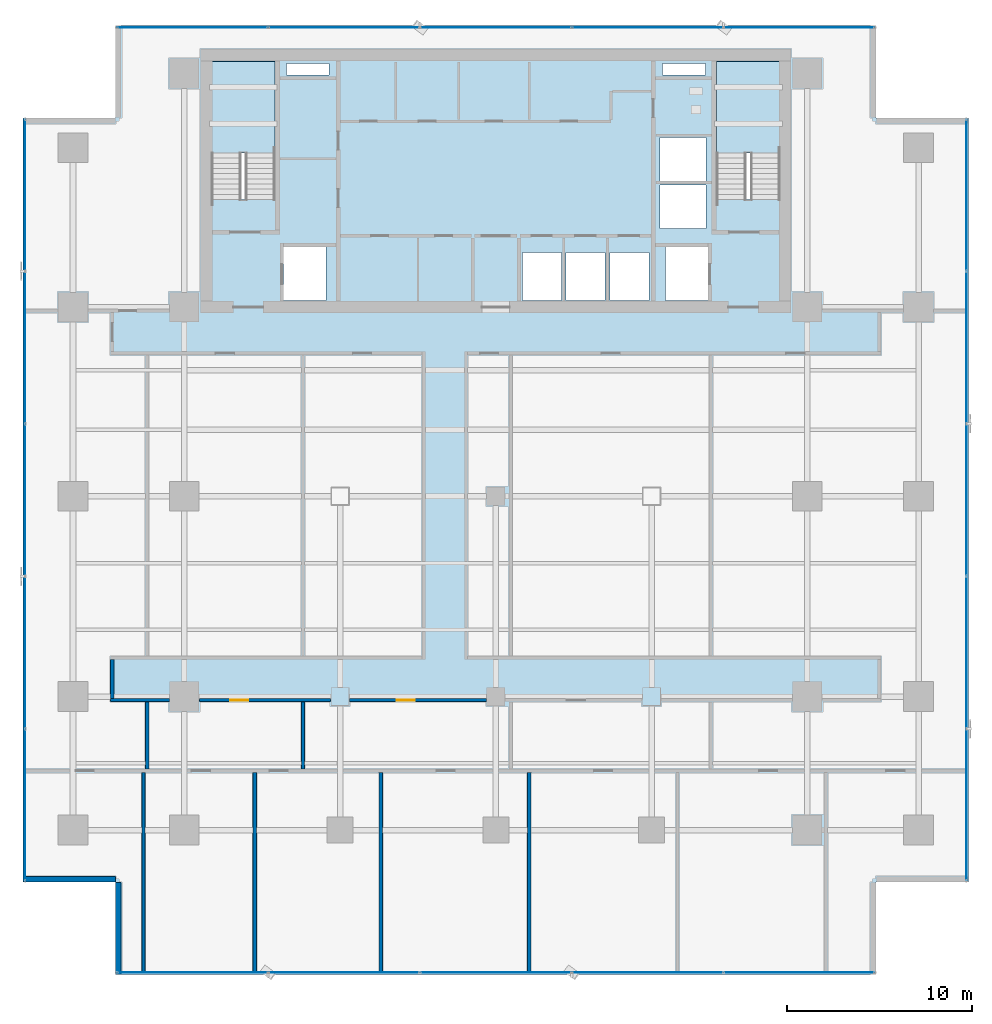
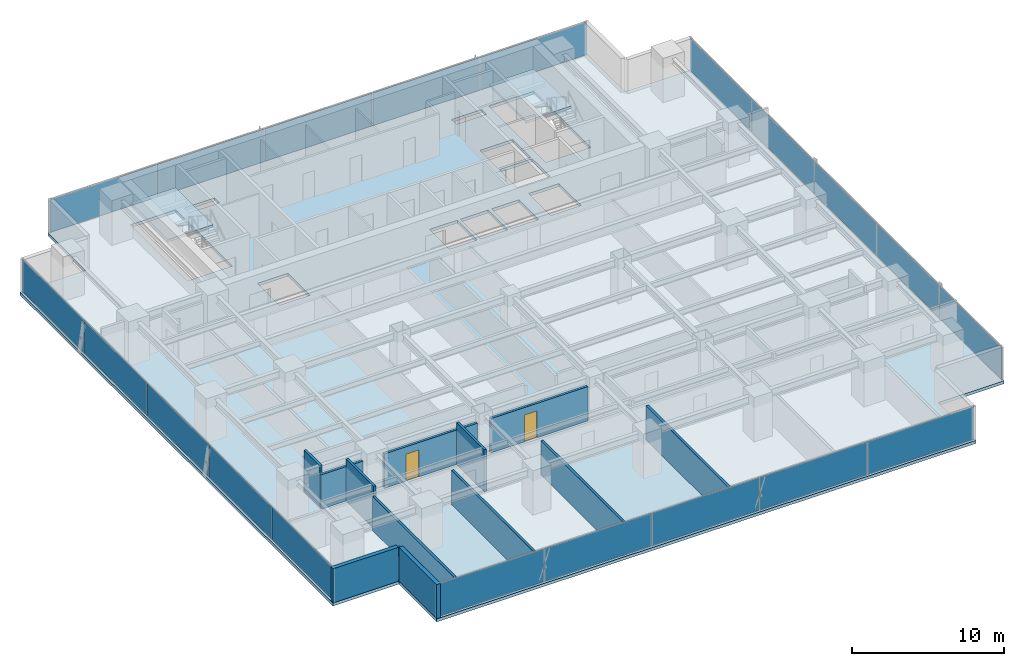
# One storey, part 27 of 36: 20 plates, 12 walls, 3 slabs, 2 doors, 2 openings, 6 elements without a shape of their own.
"""IFC4 building model written with IfcOpenShell, lengths in metres."""

import ifcopenshell
import ifcopenshell.guid

model = None  # the IFC model being written
_history = None  # IfcOwnerHistory: only IFC2X3 demands one
_inside = {}  # id of a spatial element -> (the spatial element, [elements in it])
_under = {}  # id of a project, library or spatial element -> (it, [spatial elements below it])
_declared = {}  # id of a project -> (the project, [libraries it declares])
_typed = {}  # id of a type object -> (the type object, [elements of that type])
_made_of = {}  # id of a material, layer set ... -> (it, [elements and type objects made of it])


def new_model(schema):
    """Start an empty IFC model of exactly this schema.

    Asked for "IFC4X3", IfcOpenShell would pick the latest addendum, in which some entities
    have other attributes; the version numbers below select the first issue.
    IFC2X3 requires an IfcOwnerHistory on every rooted entity: one is made here for all.
    """
    global model, _history
    if schema == "IFC4X3":
        model = ifcopenshell.file(schema_version=(4, 3, 0, 0))
    else:
        model = ifcopenshell.file(schema=schema)
    _inside.clear()
    _under.clear()
    _declared.clear()
    _typed.clear()
    _made_of.clear()
    _history = None
    if model.schema == "IFC2X3":
        org = make("IfcOrganization", Name="unknown")
        user = make(
            "IfcPersonAndOrganization",
            ThePerson=make("IfcPerson", FamilyName="unknown"),
            TheOrganization=org,
        )
        app = make(
            "IfcApplication",
            ApplicationDeveloper=org,
            Version="unknown",
            ApplicationFullName="unknown",
            ApplicationIdentifier="unknown",
        )
        _history = make(
            "IfcOwnerHistory",
            OwningUser=user,
            OwningApplication=app,
            ChangeAction="ADDED",
            CreationDate=0,
        )
    return model


def make(cls, **values):
    """One entity of the class cls with the attributes given. An attribute that is None is left unset."""
    return model.create_entity(
        cls, **{name: value for name, value in values.items() if value is not None}
    )


def rooted(cls, **values):
    """An entity with a GlobalId (a new one), such as an element, a storey or a relation."""
    return make(cls, GlobalId=ifcopenshell.guid.new(), OwnerHistory=_history, **values)


def si_unit(unit_type, name, prefix=None):
    """IfcSIUnit, for example si_unit("LENGTHUNIT", "METRE", prefix="MILLI")."""
    return make("IfcSIUnit", UnitType=unit_type, Prefix=prefix, Name=name)


def assignment(units):
    """IfcUnitAssignment: the units of a project."""
    return None if units is None else make("IfcUnitAssignment", Units=units)


def point(xyz):
    """IfcCartesianPoint."""
    return None if xyz is None else make("IfcCartesianPoint", Coordinates=xyz)


def direction(xyz):
    """IfcDirection."""
    return None if xyz is None else make("IfcDirection", DirectionRatios=xyz)


def frame(location, z_axis=None, x_axis=None):
    """IfcAxis2Placement3D, a coordinate frame: its origin and axes. An axis left out is left unset."""
    return make(
        "IfcAxis2Placement3D",
        Location=point(location),
        Axis=direction(z_axis),
        RefDirection=direction(x_axis),
    )


def frame_2d(location, x_axis=None):
    """IfcAxis2Placement2D, a coordinate frame in the plane: its origin and x axis."""
    return make(
        "IfcAxis2Placement2D", Location=point(location), RefDirection=direction(x_axis)
    )


def origin():
    """The frame at (0, 0, 0) with its axes left unset."""
    return frame((0.0, 0.0, 0.0))


def origin_2d():
    """The frame at (0, 0) in the plane with its x axis left unset."""
    return frame_2d((0.0, 0.0))


def place(relative_to, where):
    """IfcLocalPlacement: puts the frame where relative to a parent placement (None: the world)."""
    return make(
        "IfcLocalPlacement", PlacementRelTo=relative_to, RelativePlacement=where
    )


def context(
    kind, dimensions, precision=None, world=None, true_north=None, identifier=None
):
    """IfcGeometricRepresentationContext, for example the 3D "Model" context."""
    return make(
        "IfcGeometricRepresentationContext",
        ContextIdentifier=identifier,
        ContextType=kind,
        CoordinateSpaceDimension=dimensions,
        Precision=precision,
        WorldCoordinateSystem=world,
        TrueNorth=true_north,
    )


def subcontext(parent, identifier, kind, view, scale=None):
    """IfcGeometricRepresentationSubContext, for example "Body" below "Model"."""
    return make(
        "IfcGeometricRepresentationSubContext",
        ContextIdentifier=identifier,
        ContextType=kind,
        ParentContext=parent,
        TargetScale=scale,
        TargetView=view,
    )


def project(units=None, contexts=None):
    """IfcProject with its units and contexts."""
    return rooted(
        "IfcProject",
        Name="project",
        RepresentationContexts=contexts,
        UnitsInContext=assignment(units),
    )


def spatial(cls, under=None, at=None, **own):
    """A site, building, storey or space (cls), placed at a placement, below another one or the project."""
    s = rooted(cls, ObjectPlacement=at, **own)
    if under is not None:
        _under.setdefault(under.id(), (under, []))[1].append(s)
    return s


def polyline(points):
    """IfcPolyline through the points."""
    return make("IfcPolyline", Points=[point(p) for p in points])


def profile(cls, at=None, kind="AREA", **sizes):
    """A parametric profile (cls). Its sizes go by their IFC names, for example OverallWidth=200.0."""
    return make(cls, ProfileType=kind, Position=at, **sizes)


def rectangle(**sizes):
    """IfcRectangleProfileDef."""
    return profile("IfcRectangleProfileDef", **sizes)


def outline(outer, holes=None, kind="AREA"):
    """IfcArbitraryClosedProfileDef: a profile drawn as a closed curve; with holes, ...WithVoids."""
    if holes is None:
        return make("IfcArbitraryClosedProfileDef", ProfileType=kind, OuterCurve=outer)
    return make(
        "IfcArbitraryProfileDefWithVoids",
        ProfileType=kind,
        OuterCurve=outer,
        InnerCurves=holes,
    )


def extrude(swept, where, along, depth):
    """IfcExtrudedAreaSolid: the profile swept, set in the frame where, extruded along a direction by depth."""
    return make(
        "IfcExtrudedAreaSolid",
        SweptArea=swept,
        Position=where,
        ExtrudedDirection=direction(along),
        Depth=depth,
    )


def shape(context_of_items, identifier, shape_type, items):
    """IfcShapeRepresentation: the items that make up one representation, for example the "Body"."""
    return make(
        "IfcShapeRepresentation",
        ContextOfItems=context_of_items,
        RepresentationIdentifier=identifier,
        RepresentationType=shape_type,
        Items=items,
    )


def source(mapping_origin, context_of_items, identifier, shape_type, items):
    """IfcRepresentationMap: a shape defined once, which mapped items show again and again."""
    return make(
        "IfcRepresentationMap",
        MappingOrigin=mapping_origin,
        MappedRepresentation=shape(context_of_items, identifier, shape_type, items),
    )


def transform(
    local_origin,
    x_axis=None,
    y_axis=None,
    z_axis=None,
    scale=None,
    scale2=None,
    scale3=None,
    uniform=True,
):
    """IfcCartesianTransformationOperator3D, or its non-uniform kind. x_axis, y_axis, z_axis: its Axis1, 2, 3."""
    if uniform:
        return make(
            "IfcCartesianTransformationOperator3D",
            Axis1=direction(x_axis),
            Axis2=direction(y_axis),
            LocalOrigin=point(local_origin),
            Scale=scale,
            Axis3=direction(z_axis),
        )
    return make(
        "IfcCartesianTransformationOperator3DnonUniform",
        Axis1=direction(x_axis),
        Axis2=direction(y_axis),
        LocalOrigin=point(local_origin),
        Scale=scale,
        Axis3=direction(z_axis),
        Scale2=scale2,
        Scale3=scale3,
    )


def mapped(mapping_source, mapping_target):
    """IfcMappedItem: shows the shape of a source again, moved by a transform."""
    return make(
        "IfcMappedItem", MappingSource=mapping_source, MappingTarget=mapping_target
    )


def material(Name=None, Category=None):
    """IfcMaterial."""
    return make("IfcMaterial", Name=Name, Category=Category)


def layer(
    of_material, thickness, ventilated=None, Name=None, Category=None, Priority=None
):
    """IfcMaterialLayer: one layer of a wall or slab, of a material (None: an air gap)."""
    return make(
        "IfcMaterialLayer",
        Material=of_material,
        LayerThickness=thickness,
        IsVentilated=ventilated,
        Name=Name,
        Category=Category,
        Priority=Priority,
    )


def layer_set(layers, Name=None):
    """IfcMaterialLayerSet."""
    return make("IfcMaterialLayerSet", MaterialLayers=layers, LayerSetName=Name)


def made_of(thing, what):
    """Note that an element or type object is made of a material, layer set ...; save() writes the relation."""
    if what is not None:
        _made_of.setdefault(what.id(), (what, []))[1].append(thing)
    return thing


def type_object(cls, material=None, **own):
    """A type object (cls), such as IfcWallType, which elements share."""
    return made_of(rooted(cls, **own), material)


def element(
    cls,
    number,
    at=None,
    inside=None,
    cuts=None,
    type_object=None,
    material=None,
    context=None,
    identifier="Body",
    shape_type=None,
    held_by="IfcProductDefinitionShape",
    body=None,
    shapes=None,
    **own,
):
    """One element of the class cls, such as IfcWall. Its Tag is "e" and its number.

    at: its placement. inside: the storey or other place that contains it. cuts: it is an
    opening in that element (IfcRelVoidsElement). A single representation is given by context,
    identifier, shape_type and body (its items); several are given by shapes. held_by: the class
    of the entity that holds the representations. save() writes the other relations.
    """
    e = rooted(cls, Tag="e%d" % number, ObjectPlacement=at, **own)
    if body is not None:
        shapes = [shape(context, identifier, shape_type, body)]
    if shapes is not None:
        e.Representation = make(held_by, Representations=shapes)
    if inside is not None:
        _inside.setdefault(inside.id(), (inside, []))[1].append(e)
    if cuts is not None:
        rooted(
            "IfcRelVoidsElement", RelatingBuildingElement=cuts, RelatedOpeningElement=e
        )
    if type_object is not None:
        _typed.setdefault(type_object.id(), (type_object, []))[1].append(e)
    return made_of(e, material)


def fill(opening, filler):
    """IfcRelFillsElement: the door or window that sits in an opening."""
    return rooted(
        "IfcRelFillsElement",
        RelatingOpeningElement=opening,
        RelatedBuildingElement=filler,
    )


def aggregate(whole, parts):
    """IfcRelAggregates: a whole, such as a stair, and the parts it consists of."""
    return rooted("IfcRelAggregates", RelatingObject=whole, RelatedObjects=parts)


def save(model, path):
    """Write the relations noted so far, then the file.

    IfcRelAggregates (storeys below a building ...), IfcRelContainedInSpatialStructure (elements
    in a storey), IfcRelDefinesByType, IfcRelAssociatesMaterial and IfcRelDeclares: one each for
    every whole, place, type object, material and project.
    """
    for whole, parts in _under.values():
        aggregate(whole, parts)
    for where, things in _inside.values():
        rooted(
            "IfcRelContainedInSpatialStructure",
            RelatedElements=things,
            RelatingStructure=where,
        )
    for kind, things in _typed.values():
        rooted("IfcRelDefinesByType", RelatedObjects=things, RelatingType=kind)
    for what, things in _made_of.values():
        rooted("IfcRelAssociatesMaterial", RelatedObjects=things, RelatingMaterial=what)
    for by, libraries in _declared.values():
        rooted("IfcRelDeclares", RelatingContext=by, RelatedDefinitions=libraries)
    model.write(path)


model = new_model("IFC4")

# Units and contexts
model_context = context("Model", 3, precision=1e-05, world=origin(), true_north=direction((0.0, 1.0)))
body_context = subcontext(model_context, "Body", "Model", "MODEL_VIEW")
ifc_project = project(units=[si_unit("LENGTHUNIT", "METRE"), si_unit("AREAUNIT", "SQUARE_METRE"), si_unit("VOLUMEUNIT", "CUBIC_METRE"), si_unit("PLANEANGLEUNIT", "RADIAN"), si_unit("MASSUNIT", "GRAM", prefix="KILO")], contexts=[model_context])

# Site, building, storey
site_placement = place(None, origin())
site = spatial("IfcSite", under=ifc_project, at=site_placement, CompositionType="ELEMENT")
building_placement = place(site_placement, origin())
building = spatial("IfcBuilding", under=site, at=building_placement, Name="Sumidabori Civic Tower", CompositionType="ELEMENT")
storey_placement = place(building_placement, frame((0.0, 0.0, 113.60009765625)))
storey = spatial("IfcBuildingStorey", under=building, at=storey_placement, Name="L29", CompositionType="ELEMENT", Elevation=113.60009765625)

# Stair, slab
ifc_material_1 = material(Name="Concrete C40/50", Category="concrete")
stair_type = type_object("IfcStairType", Name="ST-CORE-1600", PredefinedType="HALF_TURN_STAIR", material=ifc_material_1)
stair_1_placement = place(storey_placement, origin())
stair_1 = element("IfcStair", 1, at=stair_1_placement, inside=storey, type_object=stair_type, Name="L29 ST-1", PredefinedType="HALF_TURN_STAIR")
ifc_layer_1 = layer(ifc_material_1, 0.199951171875, Name="Concrete C40/50")
ifc_layer_set_1 = layer_set([ifc_layer_1], Name="Concrete C40/50")
slab_type_1 = type_object("IfcSlabType", Name="SL-LAND-200", PredefinedType="LANDING", material=ifc_layer_set_1)
slab_1_placement = place(storey_placement, frame((0.0, 0.0, 1.599853515625)))
slab_1 = element("IfcSlab", 2, at=slab_1_placement, type_object=slab_type_1, Name="ST-1 landing 1", PredefinedType="LANDING", context=body_context, shape_type="SweptSolid", body=[
    extrude(outline(polyline([(-11.89990234375, 18.52001953125), (-11.89990234375, 23.449951171875), (-15.340087890625, 23.449951171875), (-15.340087890625, 18.52001953125), (-11.89990234375, 18.52001953125)])), origin(), (0.0, 0.0, 1.0), 0.199951171875),
])
aggregate(stair_1, [slab_1])

stair_2_placement = place(storey_placement, origin())
stair_2 = element("IfcStair", 3, at=stair_2_placement, inside=storey, type_object=stair_type, Name="L29 ST-2", PredefinedType="HALF_TURN_STAIR")
slab_2_placement = place(storey_placement, frame((0.0, 0.0, 1.599853515625)))
slab_2 = element("IfcSlab", 4, at=slab_2_placement, type_object=slab_type_1, Name="ST-2 landing 1", PredefinedType="LANDING", context=body_context, shape_type="SweptSolid", body=[
    extrude(outline(polyline([(15.340087890625, 18.52001953125), (15.340087890625, 23.449951171875), (11.89990234375, 23.449951171875), (11.89990234375, 18.52001953125), (15.340087890625, 18.52001953125)])), origin(), (0.0, 0.0, 1.0), 0.199951171875),
])
aggregate(stair_2, [slab_2])

# Slab
ifc_layer_2 = layer(ifc_material_1, 0.239990234375, Name="Concrete C40/50")
ifc_layer_set_2 = layer_set([ifc_layer_2], Name="Concrete C40/50")
slab_type_2 = type_object("IfcSlabType", Name="SL-Z1-240", PredefinedType="FLOOR", material=ifc_layer_set_2)
slab_3_placement = place(storey_placement, frame((0.0, 0.0, -0.239990234375)))
element("IfcSlab", 5, at=slab_3_placement, inside=storey, type_object=slab_type_2, Name="Structural Slab L29", PredefinedType="FLOOR", context=body_context, shape_type="SweptSolid", body=[
    extrude(outline(polyline([(-20.5, -25.800048828125), (20.5, -25.800048828125), (20.5, -20.800048828125), (25.5, -20.800048828125), (25.5, 20.39990234375), (20.5, 20.39990234375), (20.5, 25.39990234375), (-20.5, 25.39990234375), (-20.5, 20.39990234375), (-25.5, 20.39990234375), (-25.5, -20.800048828125), (-20.5, -20.800048828125), (-20.5, -25.800048828125)]), holes=[polyline([(-11.89990234375, 16.0), (-11.89990234375, 23.449951171875), (-15.340087890625, 23.449951171875), (-15.340087890625, 16.0), (-11.89990234375, 16.0)]), polyline([(15.340087890625, 16.0), (15.340087890625, 23.449951171875), (11.89990234375, 23.449951171875), (11.89990234375, 16.0), (15.340087890625, 16.0)]), polyline([(-11.449951171875, 10.550048828125), (-9.14990234375, 10.550048828125), (-9.14990234375, 13.449951171875), (-11.449951171875, 13.449951171875), (-11.449951171875, 10.550048828125)]), polyline([(9.14990234375, 10.550048828125), (11.449951171875, 10.550048828125), (11.449951171875, 13.449951171875), (9.14990234375, 13.449951171875), (9.14990234375, 10.550048828125)]), polyline([(1.449951171875, 10.550048828125), (3.550048828125, 10.550048828125), (3.550048828125, 13.14990234375), (1.449951171875, 13.14990234375), (1.449951171875, 10.550048828125)]), polyline([(3.800048828125, 10.550048828125), (5.89990234375, 10.550048828125), (5.89990234375, 13.14990234375), (3.800048828125, 13.14990234375), (3.800048828125, 10.550048828125)]), polyline([(6.14990234375, 10.550048828125), (8.25, 10.550048828125), (8.25, 13.14990234375), (6.14990234375, 13.14990234375), (6.14990234375, 10.550048828125)]), polyline([(8.85009765625, 14.449951171875), (11.35009765625, 14.449951171875), (11.35009765625, 16.800048828125), (8.85009765625, 16.800048828125), (8.85009765625, 14.449951171875)]), polyline([(8.85009765625, 17.0), (11.35009765625, 17.0), (11.35009765625, 19.35009765625), (8.85009765625, 19.35009765625), (8.85009765625, 17.0)]), polyline([(-11.300048828125, 22.719970703125), (-9.0, 22.719970703125), (-9.0, 23.35009765625), (-11.300048828125, 23.35009765625), (-11.300048828125, 22.719970703125)]), polyline([(9.0, 22.719970703125), (11.300048828125, 22.719970703125), (11.300048828125, 23.35009765625), (9.0, 23.35009765625), (9.0, 22.719970703125)])]), origin(), (0.0, 0.0, 1.0), 0.239990234375),
])

# Curtain wall, plates
ifc_material_2 = material(Name="Anodised Bronze Aluminium AW-6063-T6", Category="aluminium")
ifc_layer_3 = layer(ifc_material_2, 0.179931640625, Name="Anodised Bronze Aluminium AW-6063-T6")
ifc_layer_set_3 = layer_set([ifc_layer_3], Name="Anodised Bronze Aluminium AW-6063-T6")
curtain_wall_type = type_object("IfcCurtainWallType", Name="CW-SYS-3", PredefinedType="NOTDEFINED", material=ifc_layer_set_3)
curtain_wall_1_placement = place(storey_placement, origin())
curtain_wall_1 = element("IfcCurtainWall", 6, at=curtain_wall_1_placement, inside=storey, type_object=curtain_wall_type, Name="Curtain Wall CW:L29:R01", PredefinedType="NOTDEFINED")
ifc_material_3 = material(Name="Low-E Solar-Control Vision Glazing", Category="glass")
ifc_layer_4 = layer(ifc_material_3, 0.028076171875, Name="Low-E Solar-Control Vision Glazing")
ifc_layer_set_4 = layer_set([ifc_layer_4], Name="Low-E Solar-Control Vision Glazing")
plate_type = type_object("IfcPlateType", Name="CW-PNL-28", PredefinedType="CURTAIN_PANEL", material=ifc_layer_set_4)
shared_shape_1 = source(origin(), body_context, "Body", "SweptSolid", [
    extrude(rectangle(XDim=8.090576171875, YDim=0.028076171875, at=origin_2d()), origin(), (0.0, 0.0, 1.0), 2.6201171875),
])
plate_1_placement = place(storey_placement, frame((-16.35986328125, -25.679931640625, 0.059814453125), z_axis=(0.0, 0.0, 1.0), x_axis=(1.0, 0.0, 0.0)))
plate_1 = element("IfcPlate", 7, at=plate_1_placement, type_object=plate_type, Name="CW-3 panel 1.1", PredefinedType="CURTAIN_PANEL", context=body_context, shape_type="MappedRepresentation", body=[
    mapped(shared_shape_1, transform((0.0, 0.0, 0.0), x_axis=(1.0, 0.0, 0.0), y_axis=(0.0, 1.0, 0.0), z_axis=(0.0, 0.0, 1.0), scale=1.0)),
])
plate_2_placement = place(storey_placement, frame((16.35986328125, -25.679931640625, 0.059814453125), z_axis=(0.0, 0.0, 1.0), x_axis=(1.0, 0.0, 0.0)))
plate_2 = element("IfcPlate", 8, at=plate_2_placement, type_object=plate_type, Name="CW-3 panel 5.1", PredefinedType="CURTAIN_PANEL", context=body_context, shape_type="MappedRepresentation", body=[
    mapped(shared_shape_1, transform((0.0, 0.0, 0.0), x_axis=(1.0, 0.0, 0.0), y_axis=(0.0, 1.0, 0.0), z_axis=(0.0, 0.0, 1.0), scale=1.0)),
])

curtain_wall_2_placement = place(storey_placement, origin())
curtain_wall_2 = element("IfcCurtainWall", 9, at=curtain_wall_2_placement, inside=storey, type_object=curtain_wall_type, Name="Curtain Wall CW:L29:R07", PredefinedType="NOTDEFINED")
plate_3_placement = place(storey_placement, frame((16.35986328125, 25.280029296875, 0.059814453125), z_axis=(0.0, 0.0, 1.0), x_axis=(-1.0, 0.0, 0.0)))
plate_3 = element("IfcPlate", 10, at=plate_3_placement, type_object=plate_type, Name="CW-3 panel 1.1", PredefinedType="CURTAIN_PANEL", context=body_context, shape_type="MappedRepresentation", body=[
    mapped(shared_shape_1, transform((0.0, 0.0, 0.0), x_axis=(1.0, 0.0, 0.0), y_axis=(0.0, 1.0, 0.0), z_axis=(0.0, 0.0, 1.0), scale=1.0)),
])
plate_4_placement = place(storey_placement, frame((-16.35986328125, 25.280029296875, 0.059814453125), z_axis=(0.0, 0.0, 1.0), x_axis=(-1.0, 0.0, 0.0)))
plate_4 = element("IfcPlate", 11, at=plate_4_placement, type_object=plate_type, Name="CW-3 panel 5.1", PredefinedType="CURTAIN_PANEL", context=body_context, shape_type="MappedRepresentation", body=[
    mapped(shared_shape_1, transform((0.0, 0.0, 0.0), x_axis=(1.0, 0.0, 0.0), y_axis=(0.0, 1.0, 0.0), z_axis=(0.0, 0.0, 1.0), scale=1.0)),
])

# Plate
shared_shape_2 = source(origin(), body_context, "Body", "SweptSolid", [
    extrude(rectangle(XDim=8.123046875, YDim=0.028076171875, at=origin_2d()), origin(), (0.0, 0.0, 1.0), 2.6201171875),
])
plate_5_placement = place(storey_placement, frame((-8.18798828125, -25.679931640625, 0.059814453125), z_axis=(0.0, 0.0, 1.0), x_axis=(1.0, 0.0, 0.0)))
plate_5 = element("IfcPlate", 12, at=plate_5_placement, type_object=plate_type, Name="CW-3 panel 2.1", PredefinedType="CURTAIN_PANEL", context=body_context, shape_type="MappedRepresentation", body=[
    mapped(shared_shape_2, transform((0.0, 0.0, 0.0), x_axis=(1.0, 0.0, 0.0), y_axis=(0.0, 1.0, 0.0), z_axis=(0.0, 0.0, 1.0), scale=1.0)),
])

plate_6_placement = place(storey_placement, frame((0.0, -25.679931640625, 0.059814453125), z_axis=(0.0, 0.0, 1.0), x_axis=(1.0, 0.0, 0.0)))
plate_6 = element("IfcPlate", 13, at=plate_6_placement, type_object=plate_type, Name="CW-3 panel 3.1", PredefinedType="CURTAIN_PANEL", context=body_context, shape_type="MappedRepresentation", body=[
    mapped(shared_shape_2, transform((0.0, 0.0, 0.0), x_axis=(1.0, 0.0, 0.0), y_axis=(0.0, 1.0, 0.0), z_axis=(0.0, 0.0, 1.0), scale=1.0)),
])

plate_7_placement = place(storey_placement, frame((8.18798828125, -25.679931640625, 0.059814453125), z_axis=(0.0, 0.0, 1.0), x_axis=(1.0, 0.0, 0.0)))
plate_7 = element("IfcPlate", 14, at=plate_7_placement, type_object=plate_type, Name="CW-3 panel 4.1", PredefinedType="CURTAIN_PANEL", context=body_context, shape_type="MappedRepresentation", body=[
    mapped(shared_shape_2, transform((0.0, 0.0, 0.0), x_axis=(1.0, 0.0, 0.0), y_axis=(0.0, 1.0, 0.0), z_axis=(0.0, 0.0, 1.0), scale=1.0)),
])

aggregate(curtain_wall_1, [plate_1, plate_5, plate_6, plate_7, plate_2])

plate_8_placement = place(storey_placement, frame((8.18798828125, 25.280029296875, 0.059814453125), z_axis=(0.0, 0.0, 1.0), x_axis=(-1.0, 0.0, 0.0)))
plate_8 = element("IfcPlate", 15, at=plate_8_placement, type_object=plate_type, Name="CW-3 panel 2.1", PredefinedType="CURTAIN_PANEL", context=body_context, shape_type="MappedRepresentation", body=[
    mapped(shared_shape_2, transform((0.0, 0.0, 0.0), x_axis=(1.0, 0.0, 0.0), y_axis=(0.0, 1.0, 0.0), z_axis=(0.0, 0.0, 1.0), scale=1.0)),
])

plate_9_placement = place(storey_placement, frame((0.0, 25.280029296875, 0.059814453125), z_axis=(0.0, 0.0, 1.0), x_axis=(-1.0, 0.0, 0.0)))
plate_9 = element("IfcPlate", 16, at=plate_9_placement, type_object=plate_type, Name="CW-3 panel 3.1", PredefinedType="CURTAIN_PANEL", context=body_context, shape_type="MappedRepresentation", body=[
    mapped(shared_shape_2, transform((0.0, 0.0, 0.0), x_axis=(1.0, 0.0, 0.0), y_axis=(0.0, 1.0, 0.0), z_axis=(0.0, 0.0, 1.0), scale=1.0)),
])

plate_10_placement = place(storey_placement, frame((-8.18798828125, 25.280029296875, 0.059814453125), z_axis=(0.0, 0.0, 1.0), x_axis=(-1.0, 0.0, 0.0)))
plate_10 = element("IfcPlate", 17, at=plate_10_placement, type_object=plate_type, Name="CW-3 panel 4.1", PredefinedType="CURTAIN_PANEL", context=body_context, shape_type="MappedRepresentation", body=[
    mapped(shared_shape_2, transform((0.0, 0.0, 0.0), x_axis=(1.0, 0.0, 0.0), y_axis=(0.0, 1.0, 0.0), z_axis=(0.0, 0.0, 1.0), scale=1.0)),
])

aggregate(curtain_wall_2, [plate_3, plate_8, plate_9, plate_10, plate_4])

# Curtain wall, plates
curtain_wall_3_placement = place(storey_placement, origin())
curtain_wall_3 = element("IfcCurtainWall", 18, at=curtain_wall_3_placement, inside=storey, type_object=curtain_wall_type, Name="Curtain Wall CW:L29:R04", PredefinedType="NOTDEFINED")
shared_shape_3 = source(origin(), body_context, "Body", "SweptSolid", [
    extrude(rectangle(XDim=8.130615234375, YDim=0.028076171875, at=origin_2d()), origin(), (0.0, 0.0, 1.0), 2.6201171875),
])
plate_11_placement = place(storey_placement, frame((25.3798828125, -16.6396484375, 0.059814453125), z_axis=(0.0, 0.0, 1.0), x_axis=(0.0, 1.0, 0.0)))
plate_11 = element("IfcPlate", 19, at=plate_11_placement, type_object=plate_type, Name="CW-3 panel 1.1", PredefinedType="CURTAIN_PANEL", context=body_context, shape_type="MappedRepresentation", body=[
    mapped(shared_shape_3, transform((0.0, 0.0, 0.0), x_axis=(1.0, 0.0, 0.0), y_axis=(0.0, 1.0, 0.0), z_axis=(0.0, 0.0, 1.0), scale=1.0)),
])
plate_12_placement = place(storey_placement, frame((25.3798828125, 16.23974609375, 0.059814453125), z_axis=(0.0, 0.0, 1.0), x_axis=(0.0, 1.0, 0.0)))
plate_12 = element("IfcPlate", 20, at=plate_12_placement, type_object=plate_type, Name="CW-3 panel 5.1", PredefinedType="CURTAIN_PANEL", context=body_context, shape_type="MappedRepresentation", body=[
    mapped(shared_shape_3, transform((0.0, 0.0, 0.0), x_axis=(1.0, 0.0, 0.0), y_axis=(0.0, 1.0, 0.0), z_axis=(0.0, 0.0, 1.0), scale=1.0)),
])

curtain_wall_4_placement = place(storey_placement, origin())
curtain_wall_4 = element("IfcCurtainWall", 21, at=curtain_wall_4_placement, inside=storey, type_object=curtain_wall_type, Name="Curtain Wall CW:L29:R10", PredefinedType="NOTDEFINED")
plate_13_placement = place(storey_placement, frame((-25.3798828125, 16.23974609375, 0.059814453125), z_axis=(0.0, 0.0, 1.0), x_axis=(0.0, -1.0, 0.0)))
plate_13 = element("IfcPlate", 22, at=plate_13_placement, type_object=plate_type, Name="CW-3 panel 1.1", PredefinedType="CURTAIN_PANEL", context=body_context, shape_type="MappedRepresentation", body=[
    mapped(shared_shape_3, transform((0.0, 0.0, 0.0), x_axis=(1.0, 0.0, 0.0), y_axis=(0.0, 1.0, 0.0), z_axis=(0.0, 0.0, 1.0), scale=1.0)),
])
plate_14_placement = place(storey_placement, frame((-25.3798828125, -16.6396484375, 0.059814453125), z_axis=(0.0, 0.0, 1.0), x_axis=(0.0, -1.0, 0.0)))
plate_14 = element("IfcPlate", 23, at=plate_14_placement, type_object=plate_type, Name="CW-3 panel 5.1", PredefinedType="CURTAIN_PANEL", context=body_context, shape_type="MappedRepresentation", body=[
    mapped(shared_shape_3, transform((0.0, 0.0, 0.0), x_axis=(1.0, 0.0, 0.0), y_axis=(0.0, 1.0, 0.0), z_axis=(0.0, 0.0, 1.0), scale=1.0)),
])

# Plate
shared_shape_4 = source(origin(), body_context, "Body", "SweptSolid", [
    extrude(rectangle(XDim=8.1630859375, YDim=0.028076171875, at=origin_2d()), origin(), (0.0, 0.0, 1.0), 2.6201171875),
])
plate_15_placement = place(storey_placement, frame((25.3798828125, -8.427978515625, 0.059814453125), z_axis=(0.0, 0.0, 1.0), x_axis=(0.0, 1.0, 0.0)))
plate_15 = element("IfcPlate", 24, at=plate_15_placement, type_object=plate_type, Name="CW-3 panel 2.1", PredefinedType="CURTAIN_PANEL", context=body_context, shape_type="MappedRepresentation", body=[
    mapped(shared_shape_4, transform((0.0, 0.0, 0.0), x_axis=(1.0, 0.0, 0.0), y_axis=(0.0, 1.0, 0.0), z_axis=(0.0, 0.0, 1.0), scale=1.0)),
])

plate_16_placement = place(storey_placement, frame((25.3798828125, -0.199951171875, 0.059814453125), z_axis=(0.0, 0.0, 1.0), x_axis=(0.0, 1.0, 0.0)))
plate_16 = element("IfcPlate", 25, at=plate_16_placement, type_object=plate_type, Name="CW-3 panel 3.1", PredefinedType="CURTAIN_PANEL", context=body_context, shape_type="MappedRepresentation", body=[
    mapped(shared_shape_4, transform((0.0, 0.0, 0.0), x_axis=(1.0, 0.0, 0.0), y_axis=(0.0, 1.0, 0.0), z_axis=(0.0, 0.0, 1.0), scale=1.0)),
])

plate_17_placement = place(storey_placement, frame((25.3798828125, 8.028076171875, 0.059814453125), z_axis=(0.0, 0.0, 1.0), x_axis=(0.0, 1.0, 0.0)))
plate_17 = element("IfcPlate", 26, at=plate_17_placement, type_object=plate_type, Name="CW-3 panel 4.1", PredefinedType="CURTAIN_PANEL", context=body_context, shape_type="MappedRepresentation", body=[
    mapped(shared_shape_4, transform((0.0, 0.0, 0.0), x_axis=(1.0, 0.0, 0.0), y_axis=(0.0, 1.0, 0.0), z_axis=(0.0, 0.0, 1.0), scale=1.0)),
])

aggregate(curtain_wall_3, [plate_11, plate_15, plate_16, plate_17, plate_12])

plate_18_placement = place(storey_placement, frame((-25.3798828125, 8.028076171875, 0.059814453125), z_axis=(0.0, 0.0, 1.0), x_axis=(0.0, -1.0, 0.0)))
plate_18 = element("IfcPlate", 27, at=plate_18_placement, type_object=plate_type, Name="CW-3 panel 2.1", PredefinedType="CURTAIN_PANEL", context=body_context, shape_type="MappedRepresentation", body=[
    mapped(shared_shape_4, transform((0.0, 0.0, 0.0), x_axis=(1.0, 0.0, 0.0), y_axis=(0.0, 1.0, 0.0), z_axis=(0.0, 0.0, 1.0), scale=1.0)),
])

plate_19_placement = place(storey_placement, frame((-25.3798828125, -0.199951171875, 0.059814453125), z_axis=(0.0, 0.0, 1.0), x_axis=(0.0, -1.0, 0.0)))
plate_19 = element("IfcPlate", 28, at=plate_19_placement, type_object=plate_type, Name="CW-3 panel 3.1", PredefinedType="CURTAIN_PANEL", context=body_context, shape_type="MappedRepresentation", body=[
    mapped(shared_shape_4, transform((0.0, 0.0, 0.0), x_axis=(1.0, 0.0, 0.0), y_axis=(0.0, 1.0, 0.0), z_axis=(0.0, 0.0, 1.0), scale=1.0)),
])

plate_20_placement = place(storey_placement, frame((-25.3798828125, -8.427978515625, 0.059814453125), z_axis=(0.0, 0.0, 1.0), x_axis=(0.0, -1.0, 0.0)))
plate_20 = element("IfcPlate", 29, at=plate_20_placement, type_object=plate_type, Name="CW-3 panel 4.1", PredefinedType="CURTAIN_PANEL", context=body_context, shape_type="MappedRepresentation", body=[
    mapped(shared_shape_4, transform((0.0, 0.0, 0.0), x_axis=(1.0, 0.0, 0.0), y_axis=(0.0, 1.0, 0.0), z_axis=(0.0, 0.0, 1.0), scale=1.0)),
])

aggregate(curtain_wall_4, [plate_13, plate_18, plate_19, plate_20, plate_14])

# Walls
ifc_material_4 = material(Name="Precast concrete C40/50", Category="concrete")
ifc_layer_5 = layer(ifc_material_4, 0.300048828125, Name="Precast concrete C40/50")
ifc_layer_set_5 = layer_set([ifc_layer_5], Name="Precast concrete C40/50")
wall_type_1 = type_object("IfcWallType", Name="WL-EXT-POD300", PredefinedType="STANDARD", material=ifc_layer_set_5)
shared_shape_5 = source(origin(), body_context, "Body", "SweptSolid", [
    extrude(rectangle(XDim=4.9599609375, YDim=0.300048828125, at=frame_2d((2.47998046875, 0.0))), origin(), (0.0, 0.0, 1.0), 2.739990234375),
])
for number, where, z_axis, x_axis, name in (
    (30, (-25.47998046875, -20.64990234375, 0.0), (0.0, 0.0, 1.0), (1.0, 0.0, 0.0), "Notched Corner Spandrel Band L29-11"),
    (31, (-20.35009765625, -20.820068359375, 0.0), (0.0, 0.0, 1.0), (0.0, -1.0, 0.0), "Notched Corner Spandrel Band L29-12"),
):
    element("IfcWall", number, at=place(storey_placement, frame(where, z_axis=z_axis, x_axis=x_axis)), inside=storey, type_object=wall_type_1, Name=name, PredefinedType="STANDARD", context=body_context, shape_type="MappedRepresentation", body=[
        mapped(shared_shape_5, transform((0.0, 0.0, 0.0), x_axis=(1.0, 0.0, 0.0), y_axis=(0.0, 1.0, 0.0), z_axis=(0.0, 0.0, 1.0), scale=1.0)),
    ])
ifc_material_5 = material(Name="Gypsum Plasterboard Acoustic Partition")
ifc_layer_6 = layer(ifc_material_5, 0.179931640625, Name="Gypsum Plasterboard Acoustic Partition")
ifc_layer_set_6 = layer_set([ifc_layer_6], Name="Gypsum Plasterboard Acoustic Partition")
wall_type_2 = type_object("IfcWallType", Name="WL-PART-180", PredefinedType="PARTITIONING", material=ifc_layer_set_6)
shared_shape_6 = source(origin(), body_context, "Body", "SweptSolid", [
    extrude(rectangle(XDim=3.169921875, YDim=0.179931640625, at=frame_2d((1.5849609375, 0.0))), origin(), (0.0, 0.0, 1.0), 2.744873046875),
])
wall_1_placement = place(storey_placement, frame((-20.780029296875, -10.989990234375, 0.0), z_axis=(0.0, 0.0, 1.0), x_axis=(1.0, 0.0, 0.0)))
element("IfcWall", 32, at=wall_1_placement, inside=storey, type_object=wall_type_2, Name="Interior Partition WL:L29:CORR-SS-1", PredefinedType="PARTITIONING", context=body_context, shape_type="MappedRepresentation", body=[
    mapped(shared_shape_6, transform((0.0, 0.0, 0.0), x_axis=(1.0, 0.0, 0.0), y_axis=(0.0, 1.0, 0.0), z_axis=(0.0, 0.0, 1.0), scale=1.0)),
])

# Wall, opening, door
shared_shape_7 = source(origin(), body_context, "Body", "SweptSolid", [
    extrude(rectangle(XDim=7.080078125, YDim=0.179931640625, at=frame_2d((3.5400390625, 0.0))), origin(), (0.0, 0.0, 1.0), 2.744873046875),
])
wall_2_placement = place(storey_placement, frame((-15.989990234375, -10.989990234375, 0.0), z_axis=(0.0, 0.0, 1.0), x_axis=(1.0, 0.0, 0.0)))
wall_2 = element("IfcWall", 33, at=wall_2_placement, inside=storey, type_object=wall_type_2, Name="Interior Partition WL:L29:CORR-SS-2", PredefinedType="PARTITIONING", context=body_context, shape_type="MappedRepresentation", body=[
    mapped(shared_shape_7, transform((0.0, 0.0, 0.0), x_axis=(1.0, 0.0, 0.0), y_axis=(0.0, 1.0, 0.0), z_axis=(0.0, 0.0, 1.0), scale=1.0)),
])
opening_1_placement = place(wall_2_placement, frame((1.659912109375, 0.0, 0.0)))
opening_1 = element("IfcOpeningElement", 34, at=opening_1_placement, cuts=wall_2, Name="Opening DR-3", PredefinedType="OPENING", context=body_context, shape_type="SweptSolid", body=[
    extrude(rectangle(XDim=0.97998046875, YDim=2.14990234375, at=frame_2d((0.489990234375, 1.074951171875))), frame((0.0, 0.10205078125, 0.0), z_axis=(0.0, -1.0, 0.0), x_axis=(1.0, 0.0, 0.0)), (0.0, 0.0, 1.0), 0.203857421875),
])
ifc_material_6 = material(Name="Japanese Hinoki Timber", Category="wood")
door_type = type_object("IfcDoorType", Name="DR-INT-980", OperationType="NOTDEFINED", PredefinedType="DOOR", material=ifc_material_6)
shared_shape_8 = source(origin(), body_context, "Body", "SweptSolid", [
    extrude(rectangle(XDim=0.97998046875, YDim=2.14990234375, at=frame_2d((0.489990234375, 1.074951171875))), frame((0.0, 0.02490234375, 0.0), z_axis=(0.0, -1.0, 0.0), x_axis=(1.0, 0.0, 0.0)), (0.0, 0.0, 1.0), 0.050048828125),
])
door_1_placement = place(opening_1_placement, origin())
door_1 = element("IfcDoor", 35, at=door_1_placement, inside=storey, type_object=door_type, Name="Door DR:L29:D08", OperationType="SINGLE_SWING_RIGHT", OverallHeight=2.14990234375, OverallWidth=0.97998046875, PredefinedType="DOOR", context=body_context, shape_type="MappedRepresentation", body=[
    mapped(shared_shape_8, transform((0.0, 0.0, 0.0), x_axis=(1.0, 0.0, 0.0), y_axis=(0.0, 1.0, 0.0), z_axis=(0.0, 0.0, 1.0), scale=1.0)),
])
fill(opening_1, door_1)

shared_shape_9 = source(origin(), body_context, "Body", "SweptSolid", [
    extrude(rectangle(XDim=7.3798828125, YDim=0.179931640625, at=frame_2d((3.68994140625, 0.0))), origin(), (0.0, 0.0, 1.0), 2.744873046875),
])
wall_3_placement = place(storey_placement, frame((-7.889892578125, -10.989990234375, 0.0), z_axis=(0.0, 0.0, 1.0), x_axis=(1.0, 0.0, 0.0)))
wall_3 = element("IfcWall", 36, at=wall_3_placement, inside=storey, type_object=wall_type_2, Name="Interior Partition WL:L29:CORR-SS-3", PredefinedType="PARTITIONING", context=body_context, shape_type="MappedRepresentation", body=[
    mapped(shared_shape_9, transform((0.0, 0.0, 0.0), x_axis=(1.0, 0.0, 0.0), y_axis=(0.0, 1.0, 0.0), z_axis=(0.0, 0.0, 1.0), scale=1.0)),
])
opening_2_placement = place(wall_3_placement, frame((2.5400390625, 0.0, 0.0)))
opening_2 = element("IfcOpeningElement", 37, at=opening_2_placement, cuts=wall_3, Name="Opening DR-3", PredefinedType="OPENING", context=body_context, shape_type="SweptSolid", body=[
    extrude(rectangle(XDim=0.97998046875, YDim=2.14990234375, at=frame_2d((0.489990234375, 1.074951171875))), frame((0.0, 0.10205078125, 0.0), z_axis=(0.0, -1.0, 0.0), x_axis=(1.0, 0.0, 0.0)), (0.0, 0.0, 1.0), 0.203857421875),
])
door_2_placement = place(opening_2_placement, origin())
door_2 = element("IfcDoor", 38, at=door_2_placement, inside=storey, type_object=door_type, Name="Door DR:L29:D09", OperationType="SINGLE_SWING_LEFT", OverallHeight=2.14990234375, OverallWidth=0.97998046875, PredefinedType="DOOR", context=body_context, shape_type="MappedRepresentation", body=[
    mapped(shared_shape_8, transform((0.0, 0.0, 0.0), x_axis=(1.0, 0.0, 0.0), y_axis=(0.0, 1.0, 0.0), z_axis=(0.0, 0.0, 1.0), scale=1.0)),
])
fill(opening_2, door_2)

# Walls
shared_shape_10 = source(origin(), body_context, "Body", "SweptSolid", [
    extrude(rectangle(XDim=2.090087890625, YDim=0.179931640625, at=frame_2d((1.044921875, 0.0))), origin(), (0.0, 0.0, 1.0), 3.35986328125),
])
wall_4_placement = place(storey_placement, frame((-20.68994140625, -10.89501953125, 0.0), z_axis=(0.0, 0.0, 1.0), x_axis=(0.0, 1.0, 0.0)))
element("IfcWall", 39, at=wall_4_placement, inside=storey, type_object=wall_type_2, Name="Interior Partition WL:L29:CORR-VSW", PredefinedType="PARTITIONING", context=body_context, shape_type="MappedRepresentation", body=[
    mapped(shared_shape_10, transform((0.0, 0.0, 0.0), x_axis=(1.0, 0.0, 0.0), y_axis=(0.0, 1.0, 0.0), z_axis=(0.0, 0.0, 1.0), scale=1.0)),
])
shared_shape_11 = source(origin(), body_context, "Body", "SweptSolid", [
    extrude(rectangle(XDim=3.6201171875, YDim=0.179931640625, at=frame_2d((1.81005859375, 0.0))), origin(), (0.0, 0.0, 1.0), 3.35986328125),
])
for number, where, z_axis, x_axis, name in (
    (40, (-18.800048828125, -14.705078125, 0.0), (0.0, 0.0, 1.0), (0.0, 1.0, 0.0), "Interior Partition WL:L29:VX-N1-1"),
    (41, (-10.39990234375, -14.705078125, 0.0), (0.0, 0.0, 1.0), (0.0, 1.0, 0.0), "Interior Partition WL:L29:VX-N2-1"),
):
    element("IfcWall", number, at=place(storey_placement, frame(where, z_axis=z_axis, x_axis=x_axis)), inside=storey, type_object=wall_type_2, Name=name, PredefinedType="PARTITIONING", context=body_context, shape_type="MappedRepresentation", body=[
        mapped(shared_shape_11, transform((0.0, 0.0, 0.0), x_axis=(1.0, 0.0, 0.0), y_axis=(0.0, 1.0, 0.0), z_axis=(0.0, 0.0, 1.0), scale=1.0)),
    ])
shared_shape_12 = source(origin(), body_context, "Body", "SweptSolid", [
    extrude(rectangle(XDim=10.7548828125, YDim=0.179931640625, at=frame_2d((5.37744140625, 0.0))), origin(), (0.0, 0.0, 1.0), 2.744873046875),
])
for number, where, z_axis, x_axis, name in (
    (42, (-19.0, -25.64990234375, 0.0), (0.0, 0.0, 1.0), (0.0, 1.0, 0.0), "Interior Partition WL:L29:VX-S1"),
    (43, (-13.0, -25.64990234375, 0.0), (0.0, 0.0, 1.0), (0.0, 1.0, 0.0), "Interior Partition WL:L29:VX-S2"),
    (44, (-6.199951171875, -25.64990234375, 0.0), (0.0, 0.0, 1.0), (0.0, 1.0, 0.0), "Interior Partition WL:L29:VX-S3"),
    (45, (1.800048828125, -25.64990234375, 0.0), (0.0, 0.0, 1.0), (0.0, 1.0, 0.0), "Interior Partition WL:L29:VX-S4"),
):
    element("IfcWall", number, at=place(storey_placement, frame(where, z_axis=z_axis, x_axis=x_axis)), inside=storey, type_object=wall_type_2, Name=name, PredefinedType="PARTITIONING", context=body_context, shape_type="MappedRepresentation", body=[
        mapped(shared_shape_12, transform((0.0, 0.0, 0.0), x_axis=(1.0, 0.0, 0.0), y_axis=(0.0, 1.0, 0.0), z_axis=(0.0, 0.0, 1.0), scale=1.0)),
    ])

save(model, "model.ifc")
